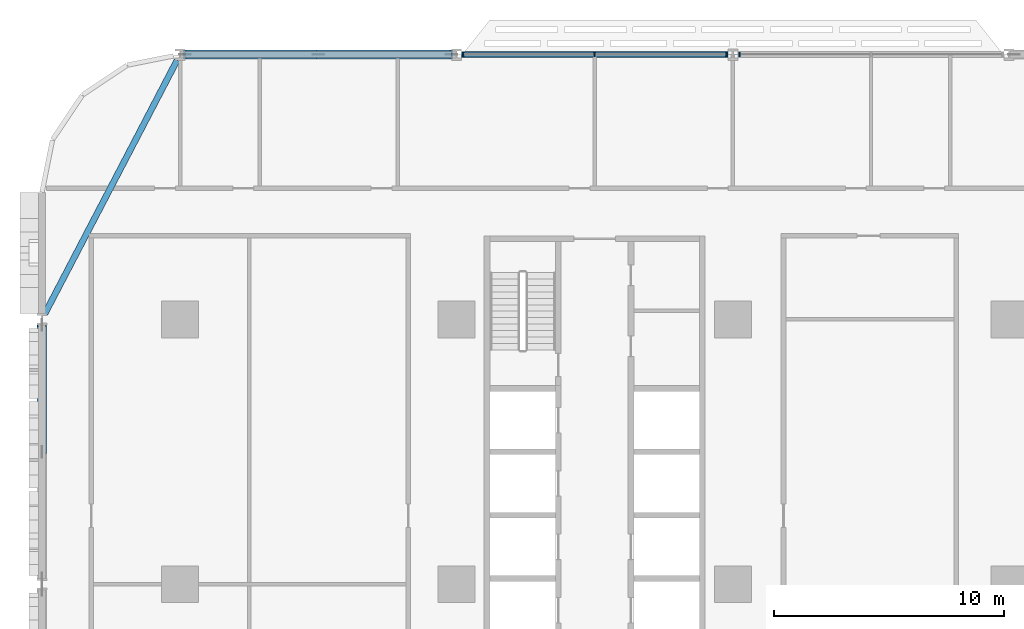
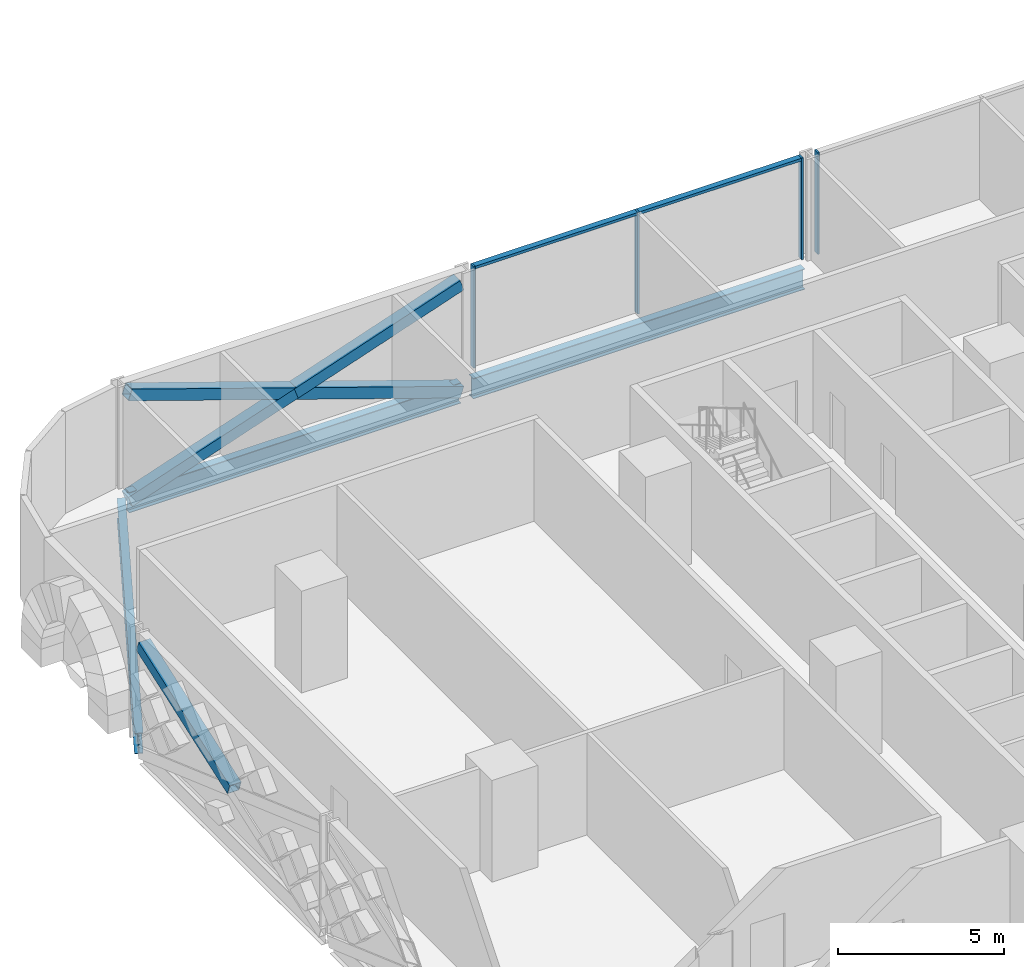
# One storey, part 5 of 29: 10 members, 3 beams, 2 elements without a shape of their own.
"""IFC4 building model written with IfcOpenShell, lengths in metres."""

from ifc_helpers import new_model, si_unit, direction, frame, origin, origin_2d, place, context, subcontext, project, spatial, rectangle, hollow_rectangle, i_section, extrude, material, material_profile, profile_set, type_object, element, aggregate, save


model = new_model("IFC4")

# Units and contexts
model_context = context("Model", 3, precision=1e-05, world=origin(), true_north=direction((0.0, 1.0)))
body_context = subcontext(model_context, "Body", "Model", "MODEL_VIEW")
ifc_project = project(units=[si_unit("LENGTHUNIT", "METRE"), si_unit("AREAUNIT", "SQUARE_METRE"), si_unit("VOLUMEUNIT", "CUBIC_METRE"), si_unit("PLANEANGLEUNIT", "RADIAN"), si_unit("MASSUNIT", "GRAM", prefix="KILO")], contexts=[model_context])

# Site, building, storey
site_placement = place(None, origin())
site = spatial("IfcSite", under=ifc_project, at=site_placement, CompositionType="ELEMENT")
building_placement = place(site_placement, origin())
building = spatial("IfcBuilding", under=site, at=building_placement, Name="Mahtab Terrace Research Tower", CompositionType="ELEMENT")
storey_placement = place(building_placement, frame((0.0, 0.0, 37.300048828125)))
storey = spatial("IfcBuildingStorey", under=building, at=storey_placement, Name="L08", CompositionType="ELEMENT", Elevation=37.300048828125)

# Members
ifc_material_1 = material(Name="Steel ASTM A500 Gr C", Category="steel")
ifc_material_profile_1 = material_profile(ifc_material_1, hollow_rectangle(XDim=0.406494140625, YDim=0.406494140625, WallThickness=0.01904296875, at=origin_2d()), Name="HSS16X16X3/4")
ifc_profile_set_1 = profile_set([ifc_material_profile_1], Name="Steel ASTM A500 Gr C")
member_type_1 = type_object("IfcMemberType", Name="HSS 16x16x3/4 brace XB161634", PredefinedType="BRACE", material=ifc_profile_set_1)
member_1_placement = place(storey_placement, frame((-30.2158203125, 23.0, -0.64501953125), z_axis=(-0.946532370982, 0.0, 0.322608850907), x_axis=(0.0, -1.0, 0.0)))
element("IfcMember", 1, at=member_1_placement, inside=storey, type_object=member_type_1, Name="Exoskeleton brace L08 07 a", PredefinedType="BRACE", context=body_context, shape_type="SweptSolid", body=[
    extrude(hollow_rectangle(XDim=0.406494140625, YDim=0.406494140625, WallThickness=0.01904296875, at=origin_2d()), origin(), (0.0, 0.0, 1.0), 12.221923828125),
])
for number, where, z_axis, x_axis, name in (
    (2, (-41.7841796875, 23.0, -0.64501953125), (0.946532370982, 0.0, 0.322608850907), (0.0, 1.0, 0.0), "Exoskeleton brace L08 07 b1"),
    (3, (-36.0, 23.0, 1.326416015625), (0.946532370982, 0.0, 0.322608850907), (0.0, 1.0, 0.0), "Exoskeleton brace L08 07 b2"),
):
    element("IfcMember", number, at=place(storey_placement, frame(where, z_axis=z_axis, x_axis=x_axis)), inside=storey, type_object=member_type_1, Name=name, PredefinedType="BRACE", context=body_context, shape_type="SweptSolid", body=[
        extrude(hollow_rectangle(XDim=0.406494140625, YDim=0.406494140625, WallThickness=0.01904296875, at=origin_2d()), origin(), (0.0, 0.0, 1.0), 6.11083984375),
    ])
member_2_placement = place(storey_placement, frame((-48.0, 5.75, 1.326416015625), z_axis=(0.0, 0.942184769943, 0.335093806698), x_axis=(-1.0, 0.0, 0.0)))
element("IfcMember", 4, at=member_2_placement, inside=storey, type_object=member_type_1, Name="Exoskeleton brace L08 09 b2", PredefinedType="BRACE", context=body_context, shape_type="SweptSolid", body=[
    extrude(hollow_rectangle(XDim=0.406494140625, YDim=0.406494140625, WallThickness=0.01904296875, at=origin_2d()), origin(), (0.0, 0.0, 1.0), 5.8388671875),
])

# Curtain wall, member
ifc_material_2 = material(Name="Laboratory ribbon curtain wall")
curtain_wall_type = type_object("IfcCurtainWallType", Name="Laboratory ribbon curtain wall", PredefinedType="NOTDEFINED", material=ifc_material_2)
curtain_wall_1_placement = place(storey_placement, origin())
curtain_wall_1 = element("IfcCurtainWall", 5, at=curtain_wall_1_placement, inside=storey, type_object=curtain_wall_type, Name="EN.L08.3.7", PredefinedType="NOTDEFINED")
ifc_material_3 = material(Name="Natural anodised aluminium", Category="aluminium")
ifc_material_profile_2 = material_profile(ifc_material_3, rectangle(XDim=0.199951171875, YDim=0.06494140625, at=origin_2d()), Name="MULLION 65x200")
ifc_profile_set_2 = profile_set([ifc_material_profile_2], Name="Natural anodised aluminium")
member_type_2 = type_object("IfcMemberType", Name="Laboratory ribbon curtain wall mullion", PredefinedType="MULLION", material=ifc_profile_set_2)
member_3_placement = place(storey_placement, frame((-17.718505859375, 23.0, 0.0), z_axis=(0.0, 0.0, 1.0), x_axis=(0.0, -1.0, 0.0)))
member_3 = element("IfcMember", 6, at=member_3_placement, type_object=member_type_2, Name="CWL-1 mullion 3", PredefinedType="MULLION", context=body_context, shape_type="SweptSolid", body=[
    extrude(rectangle(XDim=0.199951171875, YDim=0.06494140625, at=origin_2d()), origin(), (0.0, 0.0, 1.0), 3.75),
])
aggregate(curtain_wall_1, [member_3])

# Curtain wall, members
curtain_wall_2_placement = place(storey_placement, origin())
curtain_wall_2 = element("IfcCurtainWall", 7, at=curtain_wall_2_placement, inside=storey, type_object=curtain_wall_type, Name="EN.L08.3.8", PredefinedType="NOTDEFINED")
member_4_placement = place(storey_placement, frame((-18.281494140625, 23.0, 0.0), z_axis=(0.0, 0.0, 1.0), x_axis=(0.0, -1.0, 0.0)))
member_4 = element("IfcMember", 8, at=member_4_placement, type_object=member_type_2, Name="CWL-1 mullion 1", PredefinedType="MULLION", context=body_context, shape_type="SweptSolid", body=[
    extrude(rectangle(XDim=0.199951171875, YDim=0.06494140625, at=origin_2d()), origin(), (0.0, 0.0, 1.0), 3.75),
])
member_5_placement = place(storey_placement, frame((-24.0, 23.0, 0.0), z_axis=(0.0, 0.0, 1.0), x_axis=(0.0, -1.0, 0.0)))
member_5 = element("IfcMember", 9, at=member_5_placement, type_object=member_type_2, Name="CWL-1 mullion 2", PredefinedType="MULLION", context=body_context, shape_type="SweptSolid", body=[
    extrude(rectangle(XDim=0.199951171875, YDim=0.06494140625, at=origin_2d()), origin(), (0.0, 0.0, 1.0), 3.75),
])
member_6_placement = place(storey_placement, frame((-29.718505859375, 23.0, 0.0), z_axis=(0.0, 0.0, 1.0), x_axis=(0.0, -1.0, 0.0)))
member_6 = element("IfcMember", 10, at=member_6_placement, type_object=member_type_2, Name="CWL-1 mullion 3", PredefinedType="MULLION", context=body_context, shape_type="SweptSolid", body=[
    extrude(rectangle(XDim=0.199951171875, YDim=0.06494140625, at=origin_2d()), origin(), (0.0, 0.0, 1.0), 3.75),
])
ifc_material_profile_3 = material_profile(ifc_material_3, rectangle(XDim=0.199951171875, YDim=0.10009765625, at=origin_2d()), Name="TRANSOM 100x200")
ifc_profile_set_3 = profile_set([ifc_material_profile_3], Name="Natural anodised aluminium")
member_type_3 = type_object("IfcMemberType", Name="Laboratory ribbon curtain wall transom", PredefinedType="USERDEFINED", material=ifc_profile_set_3)
member_7_placement = place(storey_placement, frame((-18.31396484375, 23.0, 3.699951171875), z_axis=(-1.0, 0.0, 0.0), x_axis=(0.0, -1.0, 0.0)))
member_7 = element("IfcMember", 11, at=member_7_placement, type_object=member_type_3, Name="CWL-1 transom 1", ObjectType="TRANSOM", PredefinedType="USERDEFINED", context=body_context, shape_type="SweptSolid", body=[
    extrude(rectangle(XDim=0.199951171875, YDim=0.10009765625, at=origin_2d()), origin(), (0.0, 0.0, 1.0), 5.653564453125),
])
member_8_placement = place(storey_placement, frame((-24.032470703125, 23.0, 3.699951171875), z_axis=(-1.0, 0.0, 0.0), x_axis=(0.0, -1.0, 0.0)))
member_8 = element("IfcMember", 12, at=member_8_placement, type_object=member_type_3, Name="CWL-1 transom 2", ObjectType="TRANSOM", PredefinedType="USERDEFINED", context=body_context, shape_type="SweptSolid", body=[
    extrude(rectangle(XDim=0.199951171875, YDim=0.10009765625, at=origin_2d()), origin(), (0.0, 0.0, 1.0), 5.653564453125),
])
aggregate(curtain_wall_2, [member_4, member_5, member_6, member_7, member_8])

# Beams
ifc_material_4 = material(Name="Steel ASTM A992 Gr 50", Category="steel")
ifc_material_profile_4 = material_profile(ifc_material_4, i_section(OverallWidth=0.2666015625, OverallDepth=0.7568359375, WebThickness=0.013916015625, FlangeThickness=0.019287109375, at=origin_2d()), Name="W30X108")
ifc_profile_set_4 = profile_set([ifc_material_profile_4], Name="Steel ASTM A992 Gr 50")
beam_type = type_object("IfcBeamType", Name="W30x108 beam BS30108", PredefinedType="BEAM", material=ifc_profile_set_4)
for number, where, z_axis, x_axis, name in (
    (13, (-18.2158203125, 23.0, -0.718505859375), (-1.0, 0.0, 0.0), (0.0, -1.0, 0.0), "Spandrel beam L08 06"),
    (14, (-30.2158203125, 23.0, -0.718505859375), (-1.0, 0.0, 0.0), (0.0, -1.0, 0.0), "Spandrel beam L08 07"),
):
    element("IfcBeam", number, at=place(storey_placement, frame(where, z_axis=z_axis, x_axis=x_axis)), inside=storey, type_object=beam_type, Name=name, PredefinedType="BEAM", context=body_context, shape_type="SweptSolid", body=[
        extrude(i_section(OverallWidth=0.2666015625, OverallDepth=0.7568359375, WebThickness=0.013916015625, FlangeThickness=0.019287109375, at=origin_2d()), origin(), (0.0, 0.0, 1.0), 11.568359375),
    ])
beam_placement = place(storey_placement, frame((-42.1298828125, 22.751220703125, -0.718505859375), z_axis=(-0.462555249274, -0.88659045865, 0.0), x_axis=(0.88659045865, -0.462555249274, 0.0)))
element("IfcBeam", 15, at=beam_placement, inside=storey, type_object=beam_type, Name="Spandrel beam L08 08", PredefinedType="BEAM", context=body_context, shape_type="SweptSolid", body=[
    extrude(i_section(OverallWidth=0.2666015625, OverallDepth=0.7568359375, WebThickness=0.013916015625, FlangeThickness=0.019287109375, at=origin_2d()), origin(), (0.0, 0.0, 1.0), 12.409912109375),
])

save(model, "model.ifc")
